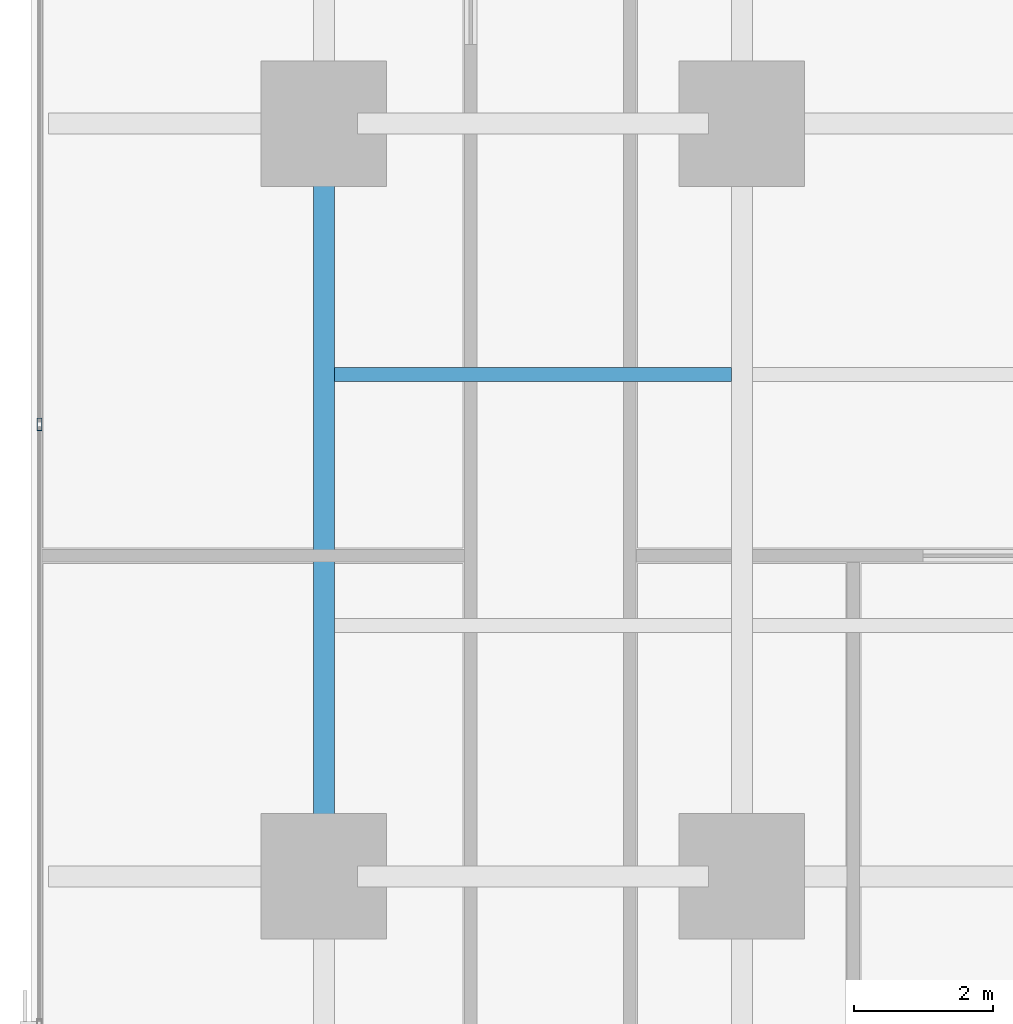
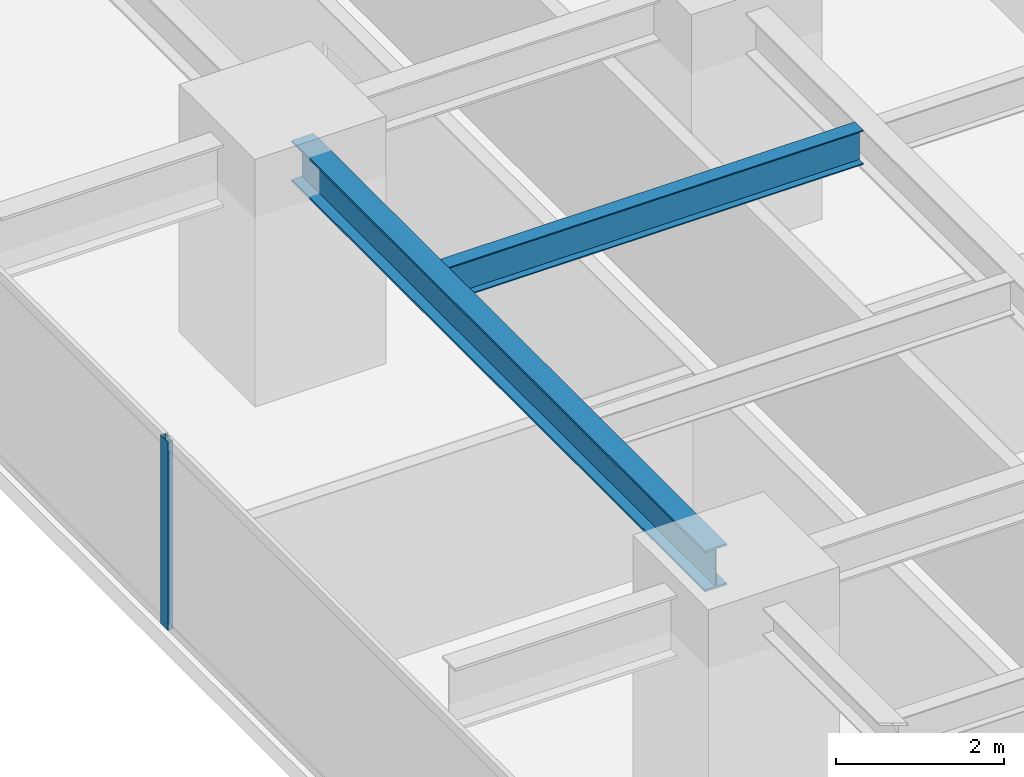
# One storey, part 7 of 33: 2 beams, 1 member, 1 element without a shape of its own.
"""IFC4 building model written with IfcOpenShell, lengths in metres."""

from ifc_helpers import new_model, si_unit, direction, frame, origin, origin_2d, place, context, subcontext, project, spatial, hollow_rectangle, i_section, extrude, source, transform, mapped, material, layer, layer_set, material_profile, profile_set, type_object, element, aggregate, save


model = new_model("IFC4")

# Units and contexts
model_context = context("Model", 3, precision=1e-05, world=origin(), true_north=direction((0.0, 1.0)))
body_context = subcontext(model_context, "Body", "Model", "MODEL_VIEW")
ifc_project = project(units=[si_unit("LENGTHUNIT", "METRE"), si_unit("AREAUNIT", "SQUARE_METRE"), si_unit("VOLUMEUNIT", "CUBIC_METRE"), si_unit("PLANEANGLEUNIT", "RADIAN"), si_unit("MASSUNIT", "GRAM", prefix="KILO")], contexts=[model_context])

# Site, building, storey
site_placement = place(None, origin())
site = spatial("IfcSite", under=ifc_project, at=site_placement, CompositionType="ELEMENT")
building_placement = place(site_placement, origin())
building = spatial("IfcBuilding", under=site, at=building_placement, Name="Sumidabori Civic Tower", CompositionType="ELEMENT")
storey_placement = place(building_placement, frame((0.0, 0.0, 63.199951171875)))
storey = spatial("IfcBuildingStorey", under=building, at=storey_placement, Name="L16", CompositionType="ELEMENT", Elevation=63.199951171875)

# Beams
ifc_material_1 = material(Name="Steel SN490", Category="steel")
ifc_material_profile_1 = material_profile(ifc_material_1, i_section(OverallWidth=0.300048828125, OverallDepth=0.60009765625, WebThickness=0.015380859375, FlangeThickness=0.030029296875, at=origin_2d()), Name="HE 600 B")
ifc_profile_set_1 = profile_set([ifc_material_profile_1], Name="Steel SN490")
beam_type_1 = type_object("IfcBeamType", Name="BM-GIRD-600", PredefinedType="BEAM", material=ifc_profile_set_1)
shared_shape_1 = source(origin(), body_context, "Body", "SweptSolid", [
    extrude(i_section(OverallWidth=0.300048828125, OverallDepth=0.60009765625, WebThickness=0.015380859375, FlangeThickness=0.030029296875, at=origin_2d()), origin(), (0.0, 0.0, 1.0), 9.840087890625),
])
beam_1_placement = place(storey_placement, frame((-22.800048828125, -10.320068359375, 3.06005859375), z_axis=(0.0, 1.0, 0.0), x_axis=(-1.0, 0.0, 0.0)))
element("IfcBeam", 1, at=beam_1_placement, inside=storey, type_object=beam_type_1, Name="Primary Girder L16 GY-22", PredefinedType="BEAM", context=body_context, shape_type="MappedRepresentation", body=[
    mapped(shared_shape_1, transform((0.0, 0.0, 0.0), x_axis=(1.0, 0.0, 0.0), y_axis=(0.0, 1.0, 0.0), z_axis=(0.0, 0.0, 1.0), scale=1.0)),
])
ifc_material_profile_2 = material_profile(ifc_material_1, i_section(OverallWidth=0.199951171875, OverallDepth=0.5, WebThickness=0.01025390625, FlangeThickness=0.01611328125, at=origin_2d()), Name="IPE 500")
ifc_profile_set_2 = profile_set([ifc_material_profile_2], Name="Steel SN490")
beam_type_2 = type_object("IfcBeamType", Name="BM-JST-500", PredefinedType="JOIST", material=ifc_profile_set_2)
shared_shape_2 = source(origin(), body_context, "Body", "SweptSolid", [
    extrude(i_section(OverallWidth=0.199951171875, OverallDepth=0.5, WebThickness=0.01025390625, FlangeThickness=0.01611328125, at=origin_2d()), origin(), (0.0, 0.0, 1.0), 5.699951171875),
])
beam_2_placement = place(storey_placement, frame((-22.64990234375, -3.60009765625, 3.110107421875), z_axis=(1.0, 0.0, 0.0), x_axis=(0.0, 1.0, 0.0)))
element("IfcBeam", 2, at=beam_2_placement, inside=storey, type_object=beam_type_2, Name="Outer Bay Floor Joist L16 JSTO-51", PredefinedType="JOIST", context=body_context, shape_type="MappedRepresentation", body=[
    mapped(shared_shape_2, transform((0.0, 0.0, 0.0), x_axis=(1.0, 0.0, 0.0), y_axis=(0.0, 1.0, 0.0), z_axis=(0.0, 0.0, 1.0), scale=1.0)),
])

# Curtain wall, member
ifc_material_2 = material(Name="Anodised Bronze Aluminium AW-6063-T6", Category="aluminium")
ifc_layer = layer(ifc_material_2, 0.179931640625, Name="Anodised Bronze Aluminium AW-6063-T6")
ifc_layer_set = layer_set([ifc_layer], Name="Anodised Bronze Aluminium AW-6063-T6")
curtain_wall_type = type_object("IfcCurtainWallType", Name="CW-SYS-2", PredefinedType="NOTDEFINED", material=ifc_layer_set)
curtain_wall_placement = place(storey_placement, origin())
curtain_wall = element("IfcCurtainWall", 3, at=curtain_wall_placement, inside=storey, type_object=curtain_wall_type, Name="Curtain Wall CW:L16:R10", PredefinedType="NOTDEFINED")
ifc_material_profile_3 = material_profile(ifc_material_2, hollow_rectangle(XDim=0.070068359375, YDim=0.179931640625, WallThickness=0.006103515625, at=origin_2d()), Name="ALU MULLION 180x70")
ifc_profile_set_3 = profile_set([ifc_material_profile_3], Name="Anodised Bronze Aluminium AW-6063-T6")
member_type = type_object("IfcMemberType", Name="CW-MUL-180", PredefinedType="MULLION", material=ifc_profile_set_3)
shared_shape_3 = source(origin(), body_context, "Body", "SweptSolid", [
    extrude(hollow_rectangle(XDim=0.070068359375, YDim=0.179931640625, WallThickness=0.006103515625, at=origin_2d()), origin(), (0.0, 0.0, 1.0), 2.739990234375),
])
member_placement = place(storey_placement, frame((-26.8798828125, -4.31396484375, 0.0), z_axis=(0.0, 0.0, 1.0), x_axis=(1.0, 0.0, 0.0)))
member = element("IfcMember", 4, at=member_placement, type_object=member_type, Name="CW-2 mullion 4", PredefinedType="MULLION", context=body_context, shape_type="MappedRepresentation", body=[
    mapped(shared_shape_3, transform((0.0, 0.0, 0.0), x_axis=(1.0, 0.0, 0.0), y_axis=(0.0, 1.0, 0.0), z_axis=(0.0, 0.0, 1.0), scale=1.0)),
])
aggregate(curtain_wall, [member])

save(model, "model.ifc")
